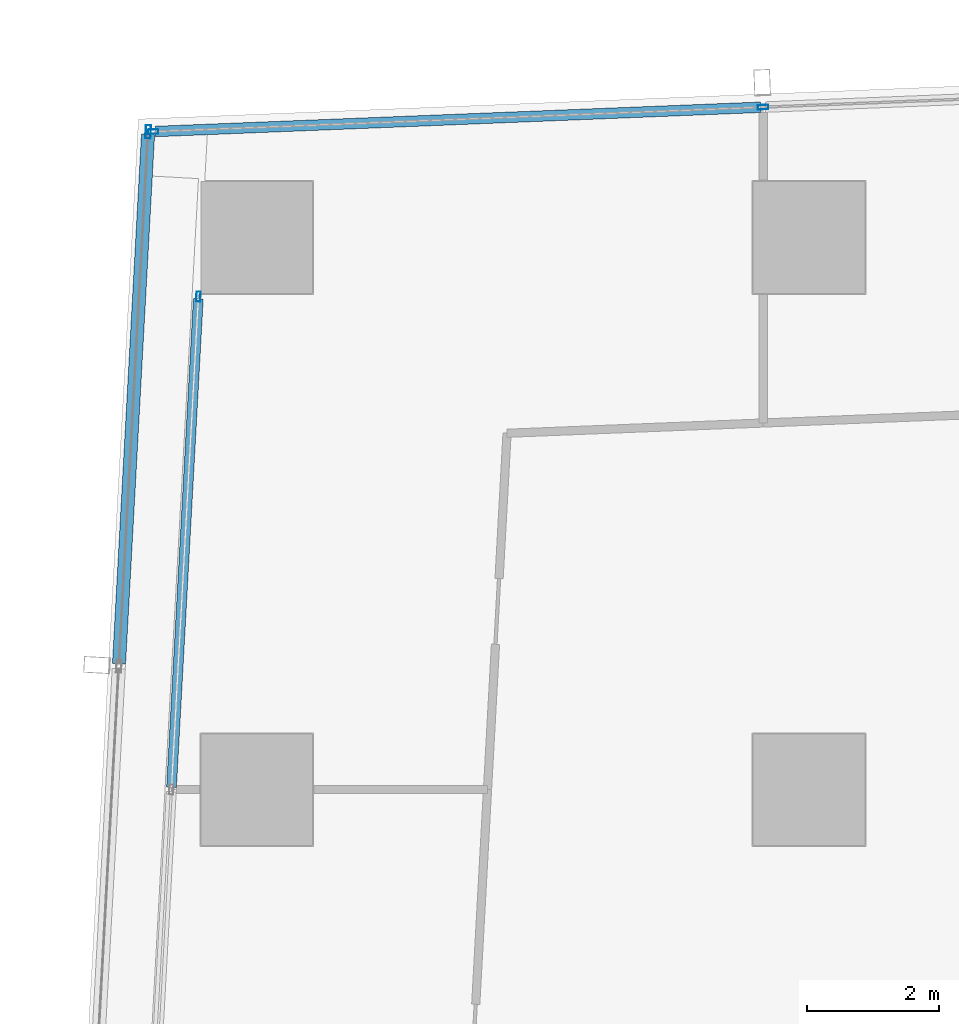
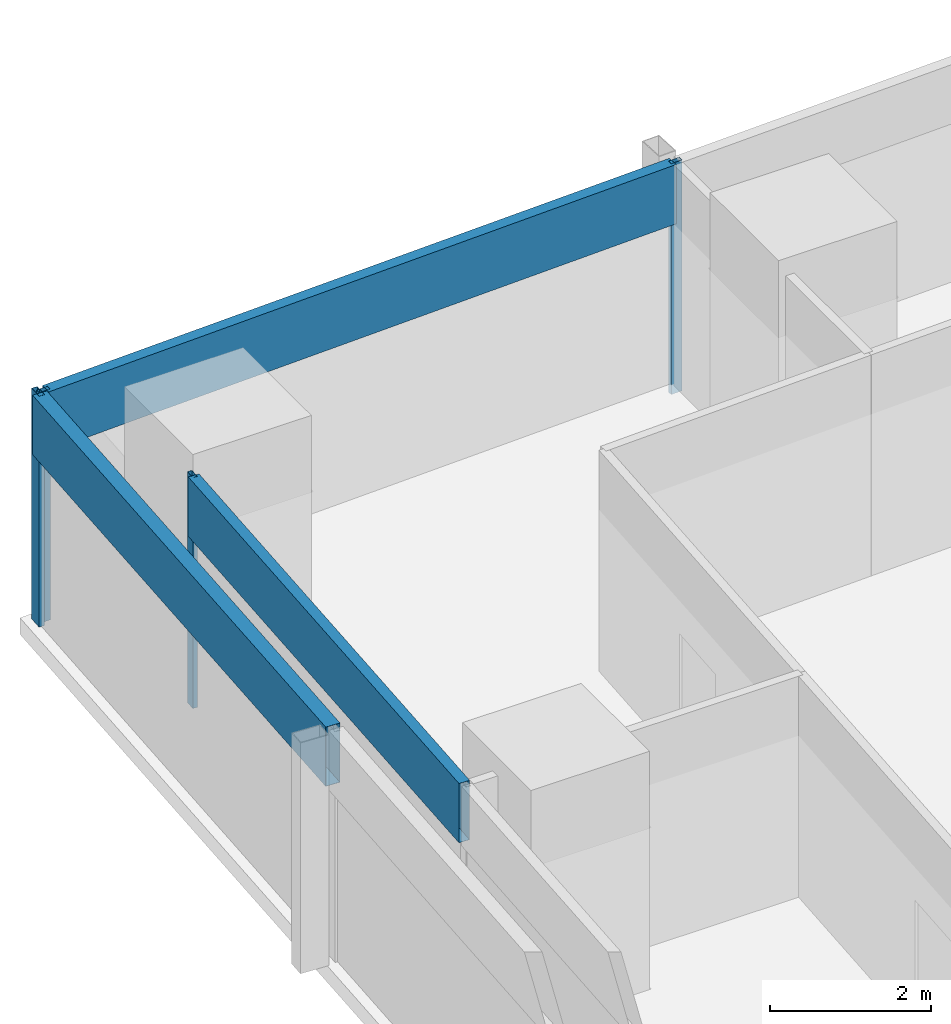
# One storey, part 15 of 40: 7 members, 3 elements without a shape of their own.
"""IFC4 building model written with IfcOpenShell, lengths in metres."""

from ifc_helpers import new_model, si_unit, direction, frame, origin, origin_2d, place, context, subcontext, project, spatial, hollow_rectangle, extrude, material, material_profile, profile_set, type_object, element, aggregate, save


model = new_model("IFC4")

# Units and contexts
model_context = context("Model", 3, precision=1e-05, world=origin(), true_north=direction((0.0, 1.0)))
body_context = subcontext(model_context, "Body", "Model", "MODEL_VIEW")
ifc_project = project(units=[si_unit("LENGTHUNIT", "METRE"), si_unit("AREAUNIT", "SQUARE_METRE"), si_unit("VOLUMEUNIT", "CUBIC_METRE"), si_unit("PLANEANGLEUNIT", "RADIAN"), si_unit("MASSUNIT", "GRAM", prefix="KILO")], contexts=[model_context])

# Site, building, storey
site_placement = place(None, origin())
site = spatial("IfcSite", under=ifc_project, at=site_placement, CompositionType="ELEMENT")
building_placement = place(site_placement, origin())
building = spatial("IfcBuilding", under=site, at=building_placement, Name="Rekha Terrace Tower", CompositionType="ELEMENT")
storey_placement = place(building_placement, frame((0.0, 0.0, 117.800048828125)))
storey = spatial("IfcBuildingStorey", under=building, at=storey_placement, Name="L29", CompositionType="ELEMENT", Elevation=117.800048828125)

# Curtain wall, members
ifc_material_1 = material(Name="Aluminium framing", Category="aluminium")
curtain_wall_type_1 = type_object("IfcCurtainWallType", Name="CW1 double skin inner glazing", PredefinedType="USERDEFINED", material=ifc_material_1)
curtain_wall_1_placement = place(storey_placement, origin())
curtain_wall_1 = element("IfcCurtainWall", 1, at=curtain_wall_1_placement, inside=storey, type_object=curtain_wall_type_1, Name="CW1 double skin inner glazing", ObjectType="DOUBLE SKIN INNER GLAZING", PredefinedType="USERDEFINED")
ifc_material_2 = material(Name="Aluminium mullion section", Category="aluminium")
ifc_material_profile_1 = material_profile(ifc_material_2, hollow_rectangle(XDim=0.06494140625, YDim=0.14990234375, WallThickness=0.00390625, at=origin_2d()), Name="AL RHS 65x150")
ifc_profile_set_1 = profile_set([ifc_material_profile_1], Name="Aluminium mullion section")
member_type_1 = type_object("IfcMemberType", Name="CW1 mullion RHS 65 x 150", PredefinedType="MULLION", material=ifc_profile_set_1)
member_1_placement = place(storey_placement, frame((7.513427734375, 57.8994140625, 0.0), z_axis=(0.0, 0.0, 1.0), x_axis=(0.99850051318, -0.054742352707, 0.0)))
member_1 = element("IfcMember", 2, at=member_1_placement, type_object=member_type_1, Name="CW1 mullion 1", PredefinedType="MULLION", context=body_context, shape_type="SweptSolid", body=[
    extrude(hollow_rectangle(XDim=0.06494140625, YDim=0.14990234375, WallThickness=0.00390625, at=origin_2d()), origin(), (0.0, 0.0, 1.0), 3.5),
])
ifc_material_3 = material(Name="Insulated aluminium spandrel box", Category="aluminium")
ifc_material_profile_2 = material_profile(ifc_material_3, hollow_rectangle(XDim=0.14990234375, YDim=0.89990234375, WallThickness=0.0029296875, at=origin_2d()), Name="AL SPANDREL BOX 150x900")
ifc_profile_set_2 = profile_set([ifc_material_profile_2], Name="Insulated aluminium spandrel box")
member_type_2 = type_object("IfcMemberType", Name="CW1 spandrel transom 150 x 900", PredefinedType="USERDEFINED", material=ifc_profile_set_2)
member_2_placement = place(storey_placement, frame((7.51171875, 57.866943359375, 3.050048828125), z_axis=(-0.054743356699, -0.998500458136, 0.0), x_axis=(0.998500458136, -0.054743356699, 0.0)))
member_2 = element("IfcMember", 3, at=member_2_placement, type_object=member_type_2, Name="CW1 spandrel transom 1", ObjectType="TRANSOM", PredefinedType="USERDEFINED", context=body_context, shape_type="SweptSolid", body=[
    extrude(hollow_rectangle(XDim=0.14990234375, YDim=0.89990234375, WallThickness=0.0029296875, at=origin_2d()), origin(), (0.0, 0.0, 1.0), 7.443359375),
])
aggregate(curtain_wall_1, [member_1, member_2])

curtain_wall_type_2 = type_object("IfcCurtainWallType", Name="CW2 double skin outer glazing", PredefinedType="USERDEFINED", material=ifc_material_1)
curtain_wall_2_placement = place(storey_placement, origin())
curtain_wall_2 = element("IfcCurtainWall", 4, at=curtain_wall_2_placement, inside=storey, type_object=curtain_wall_type_2, Name="CW2 double skin outer glazing", ObjectType="DOUBLE SKIN OUTER GLAZING", PredefinedType="USERDEFINED")
ifc_material_profile_3 = material_profile(ifc_material_2, hollow_rectangle(XDim=0.080078125, YDim=0.199951171875, WallThickness=0.00390625, at=origin_2d()), Name="AL RHS 80x200")
ifc_profile_set_3 = profile_set([ifc_material_profile_3], Name="Aluminium mullion section")
member_type_3 = type_object("IfcMemberType", Name="CW2 mullion RHS 80 x 200", PredefinedType="MULLION", material=ifc_profile_set_3)
member_3_placement = place(storey_placement, frame((6.74951171875, 60.406005859375, 0.0), z_axis=(0.0, 0.0, 1.0), x_axis=(0.99850051318, -0.054742352707, 0.0)))
member_3 = element("IfcMember", 5, at=member_3_placement, type_object=member_type_3, Name="CW2 mullion 1", PredefinedType="MULLION", context=body_context, shape_type="SweptSolid", body=[
    extrude(hollow_rectangle(XDim=0.080078125, YDim=0.199951171875, WallThickness=0.00390625, at=origin_2d()), origin(), (0.0, 0.0, 1.0), 3.5),
])
ifc_material_profile_4 = material_profile(ifc_material_3, hollow_rectangle(XDim=0.199951171875, YDim=0.89990234375, WallThickness=0.0029296875, at=origin_2d()), Name="AL SPANDREL BOX 200x900")
ifc_profile_set_4 = profile_set([ifc_material_profile_4], Name="Insulated aluminium spandrel box")
member_type_4 = type_object("IfcMemberType", Name="CW2 spandrel transom 200 x 900", PredefinedType="USERDEFINED", material=ifc_profile_set_4)
member_4_placement = place(storey_placement, frame((6.747314453125, 60.365966796875, 3.050048828125), z_axis=(-0.054735200093, -0.998500905293, 0.0), x_axis=(0.998500905293, -0.054735200093, 0.0)))
member_4 = element("IfcMember", 6, at=member_4_placement, type_object=member_type_4, Name="CW2 spandrel transom 1", ObjectType="TRANSOM", PredefinedType="USERDEFINED", context=body_context, shape_type="SweptSolid", body=[
    extrude(hollow_rectangle(XDim=0.199951171875, YDim=0.89990234375, WallThickness=0.0029296875, at=origin_2d()), origin(), (0.0, 0.0, 1.0), 8.059814453125),
])
aggregate(curtain_wall_2, [member_3, member_4])

curtain_wall_type_3 = type_object("IfcCurtainWallType", Name="CW3 north unitised glazing", PredefinedType="USERDEFINED", material=ifc_material_1)
curtain_wall_3_placement = place(storey_placement, origin())
curtain_wall_3 = element("IfcCurtainWall", 7, at=curtain_wall_3_placement, inside=storey, type_object=curtain_wall_type_3, Name="CW3 unitised curtain wall", ObjectType="UNITISED CURTAIN WALL", PredefinedType="USERDEFINED")
ifc_material_profile_5 = material_profile(ifc_material_2, hollow_rectangle(XDim=0.070068359375, YDim=0.159912109375, WallThickness=0.00390625, at=origin_2d()), Name="AL RHS 70x160")
ifc_profile_set_5 = profile_set([ifc_material_profile_5], Name="Aluminium mullion section")
member_type_5 = type_object("IfcMemberType", Name="CW3 mullion RHS 70 x 160", PredefinedType="MULLION", material=ifc_profile_set_5)
member_5_placement = place(storey_placement, frame((16.101806640625, 60.780517578125, 0.0), z_axis=(0.0, 0.0, 1.0), x_axis=(0.040031987119, -0.999198398721, 0.0)))
member_5 = element("IfcMember", 8, at=member_5_placement, type_object=member_type_5, Name="CW3 mullion 4", PredefinedType="MULLION", context=body_context, shape_type="SweptSolid", body=[
    extrude(hollow_rectangle(XDim=0.070068359375, YDim=0.159912109375, WallThickness=0.00390625, at=origin_2d()), origin(), (0.0, 0.0, 1.0), 3.5),
])
member_6_placement = place(storey_placement, frame((6.82470703125, 60.408935546875, 0.0), z_axis=(0.0, 0.0, 1.0), x_axis=(0.040031987119, -0.999198398721, 0.0)))
member_6 = element("IfcMember", 9, at=member_6_placement, type_object=member_type_5, Name="CW3 mullion 5", PredefinedType="MULLION", context=body_context, shape_type="SweptSolid", body=[
    extrude(hollow_rectangle(XDim=0.070068359375, YDim=0.159912109375, WallThickness=0.00390625, at=origin_2d()), origin(), (0.0, 0.0, 1.0), 3.5),
])
ifc_material_profile_6 = material_profile(ifc_material_3, hollow_rectangle(XDim=0.159912109375, YDim=0.89990234375, WallThickness=0.0029296875, at=origin_2d()), Name="AL SPANDREL BOX 160x900")
ifc_profile_set_6 = profile_set([ifc_material_profile_6], Name="Insulated aluminium spandrel box")
member_type_6 = type_object("IfcMemberType", Name="CW3 spandrel transom 160 x 900", PredefinedType="USERDEFINED", material=ifc_profile_set_6)
member_7_placement = place(storey_placement, frame((16.06689453125, 60.779052734375, 3.050048828125), z_axis=(-0.999198332483, -0.040033640399, 0.0), x_axis=(0.040033640399, -0.999198332483, 0.0)))
member_7 = element("IfcMember", 10, at=member_7_placement, type_object=member_type_6, Name="CW3 spandrel transom 4", ObjectType="TRANSOM", PredefinedType="USERDEFINED", context=body_context, shape_type="SweptSolid", body=[
    extrude(hollow_rectangle(XDim=0.159912109375, YDim=0.89990234375, WallThickness=0.0029296875, at=origin_2d()), origin(), (0.0, 0.0, 1.0), 9.214599609375),
])
aggregate(curtain_wall_3, [member_5, member_6, member_7])

save(model, "model.ifc")
